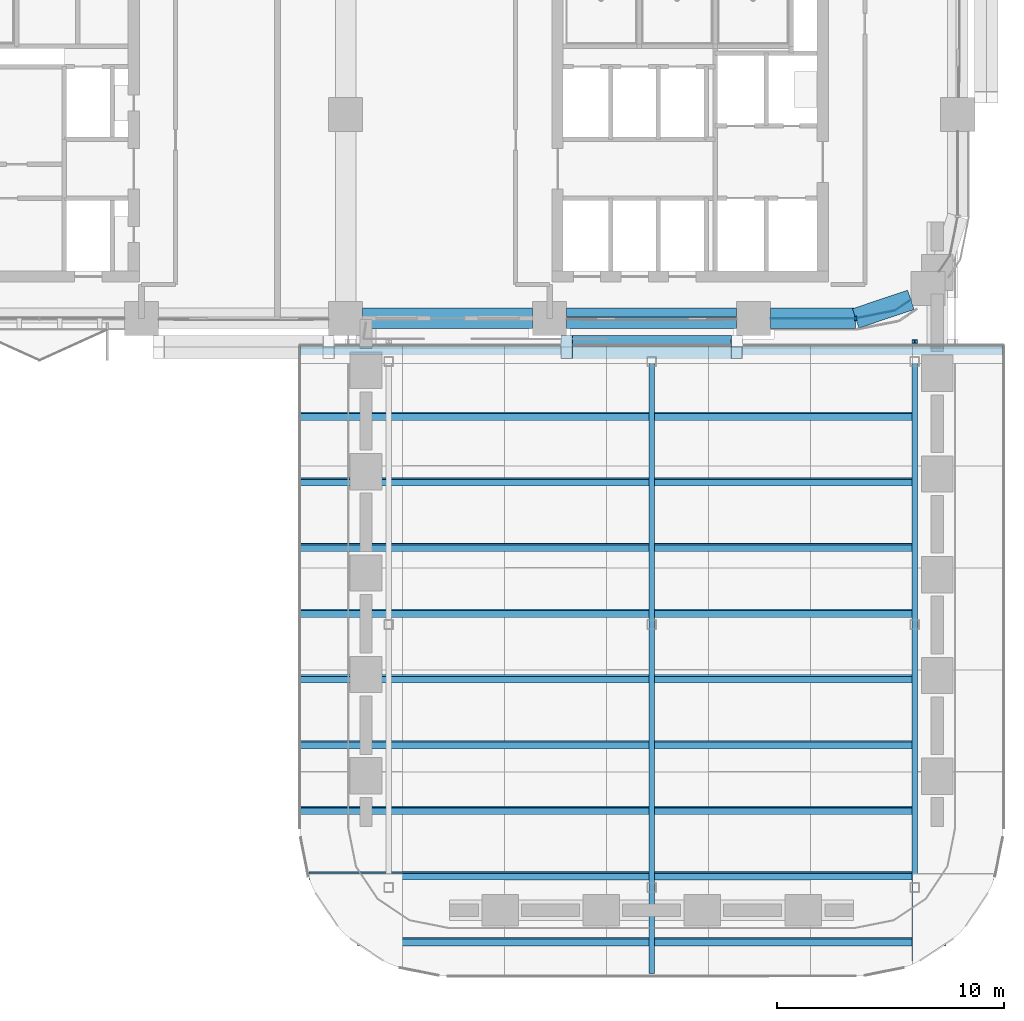
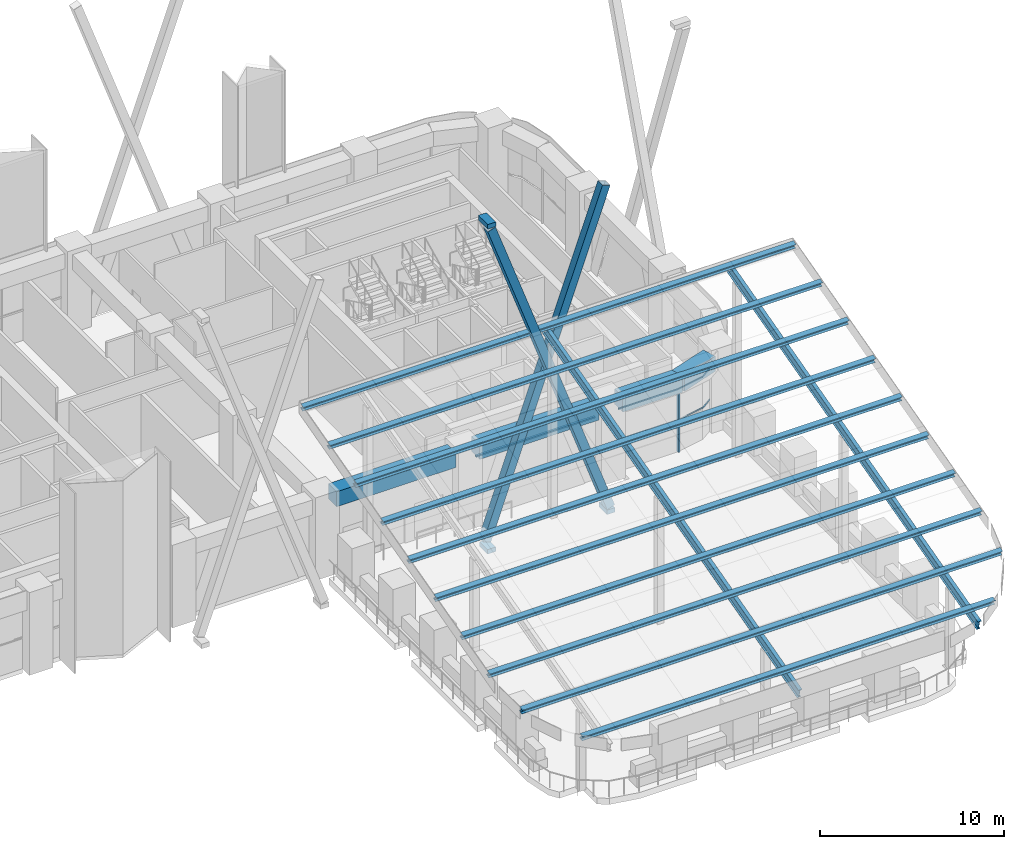
# One storey, part 5 of 22: 21 members, 4 beams, 2 elements without a shape of their own.
"""IFC4 building model written with IfcOpenShell, lengths in metres."""

from ifc_helpers import new_model, si_unit, direction, frame, origin, origin_2d, place, context, subcontext, project, spatial, polyline, rectangle, hollow_rectangle, i_section, outline, extrude, material, layer, layer_set, material_profile, profile_set, type_object, element, aggregate, save


model = new_model("IFC4")

# Units and contexts
model_context = context("Model", 3, precision=1e-05, world=origin(), true_north=direction((0.0, 1.0)))
body_context = subcontext(model_context, "Body", "Model", "MODEL_VIEW")
ifc_project = project(units=[si_unit("LENGTHUNIT", "METRE"), si_unit("AREAUNIT", "SQUARE_METRE"), si_unit("VOLUMEUNIT", "CUBIC_METRE"), si_unit("PLANEANGLEUNIT", "RADIAN"), si_unit("MASSUNIT", "GRAM", prefix="KILO")], contexts=[model_context])

# Site, building, storey
site_placement = place(None, origin())
site = spatial("IfcSite", under=ifc_project, at=site_placement, CompositionType="ELEMENT")
building_placement = place(site_placement, origin())
building = spatial("IfcBuilding", under=site, at=building_placement, Name="Tessera Arch", CompositionType="ELEMENT")
storey_placement = place(building_placement, frame((0.0, 0.0, 129.39990234375)))
storey = spatial("IfcBuildingStorey", under=building, at=storey_placement, Name="L30", CompositionType="ELEMENT", Elevation=129.39990234375)

# Members
ifc_material_1 = material(Name="Steel A500 Gr C", Category="steel")
ifc_material_profile_1 = material_profile(ifc_material_1, hollow_rectangle(XDim=0.508056640625, YDim=0.508056640625, WallThickness=0.0146484375, at=origin_2d()), Name="HSS20x20x5/8")
ifc_profile_set_1 = profile_set([ifc_material_profile_1], Name="Steel A500 Gr C")
member_type_1 = type_object("IfcMemberType", Name="Brace HSS20x20x5/8 Steel A500 Gr C", PredefinedType="BRACE", material=ifc_profile_set_1)
for number, where, z_axis, x_axis, name in (
    (1, (36.75, 25.99609375, -0.7998046875), (0.334923631924, 0.0, 0.942245276337), (0.0, 1.0, 0.0), "Brace S27.0-4 A L30-L34"),
    (2, (44.25, 25.488037109375, -0.7998046875), (-0.334923631924, 0.0, 0.942245276337), (0.0, -1.0, 0.0), "Brace S27.0-4 B L30-L34"),
):
    element("IfcMember", number, at=place(storey_placement, frame(where, z_axis=z_axis, x_axis=x_axis)), inside=storey, type_object=member_type_1, Name=name, PredefinedType="BRACE", context=body_context, shape_type="SweptSolid", body=[
        extrude(hollow_rectangle(XDim=0.508056640625, YDim=0.508056640625, WallThickness=0.0146484375, at=origin_2d()), origin(), (0.0, 0.0, 1.0), 22.39306640625),
    ])

# Curtain wall, members
ifc_material_2 = material(Name="CW2 curtain wall")
curtain_wall_type_1 = type_object("IfcCurtainWallType", Name="CW2 curtain wall", PredefinedType="NOTDEFINED", material=ifc_material_2)
curtain_wall_1_placement = place(storey_placement, origin())
curtain_wall_1 = element("IfcCurtainWall", 3, at=curtain_wall_1_placement, inside=storey, type_object=curtain_wall_type_1, Name="CW2 curtain wall S27.0/5 L30", PredefinedType="NOTDEFINED")
ifc_material_3 = material(Name="Anodised aluminium pale metal", Category="aluminium")
ifc_material_profile_2 = material_profile(ifc_material_3, rectangle(XDim=0.199951171875, YDim=0.080078125, at=origin_2d()), Name="AL 80x200")
ifc_profile_set_2 = profile_set([ifc_material_profile_2], Name="Anodised aluminium pale metal")
member_type_2 = type_object("IfcMemberType", Name="CW2 mullion", PredefinedType="MULLION", material=ifc_profile_set_2)
member_1_placement = place(storey_placement, frame((49.5, 27.0, 0.0), z_axis=(0.0, 0.0, 1.0), x_axis=(0.0, 1.0, 0.0)))
member_1 = element("IfcMember", 4, at=member_1_placement, type_object=member_type_2, Name="CW2 mullion S27.0/5 1", PredefinedType="MULLION", context=body_context, shape_type="SweptSolid", body=[
    extrude(rectangle(XDim=0.199951171875, YDim=0.080078125, at=origin_2d()), origin(), (0.0, 0.0, 1.0), 4.10009765625),
])
ifc_material_4 = material(Name="Anodised aluminium pale metal", Category="aluminium")
ifc_material_profile_3 = material_profile(ifc_material_4, rectangle(XDim=0.199951171875, YDim=0.10009765625, at=origin_2d()), Name="AL 200x100")
ifc_profile_set_3 = profile_set([ifc_material_profile_3], Name="Anodised aluminium pale metal")
member_type_3 = type_object("IfcMemberType", Name="CW2 transom", PredefinedType="USERDEFINED", material=ifc_profile_set_3)
member_2_placement = place(storey_placement, frame((0.0, 0.0, 2.050048828125)))
member_2 = element("IfcMember", 5, at=member_2_placement, type_object=member_type_3, Name="CW2 transom S27.0/5 1", ObjectType="TRANSOM", PredefinedType="USERDEFINED", context=body_context, shape_type="SweptSolid", body=[
    extrude(outline(polyline([(49.4990234375, 27.010009765625), (45.75, 27.010009765625), (45.75, 26.989990234375), (49.5009765625, 26.989990234375), (51.22607421875, 27.3330078125), (51.9375, 27.80859375), (51.926513671875, 27.8251953125), (51.21826171875, 27.351806640625), (49.4990234375, 27.010009765625)])), origin(), (0.0, 0.0, 1.0), 0.10009765625),
])
member_3_placement = place(storey_placement, frame((0.0, 0.0, 4.10009765625)))
member_3 = element("IfcMember", 6, at=member_3_placement, type_object=member_type_3, Name="CW2 transom S27.0/5 2", ObjectType="TRANSOM", PredefinedType="USERDEFINED", context=body_context, shape_type="SweptSolid", body=[
    extrude(outline(polyline([(49.4990234375, 27.010009765625), (45.75, 27.010009765625), (45.75, 26.989990234375), (49.5009765625, 26.989990234375), (51.22607421875, 27.3330078125), (51.9375, 27.80859375), (51.926513671875, 27.8251953125), (51.21826171875, 27.351806640625), (49.4990234375, 27.010009765625)])), origin(), (0.0, 0.0, 1.0), 0.10009765625),
])
aggregate(curtain_wall_1, [member_1, member_2, member_3])

# Curtain wall, member
ifc_material_5 = material(Name="CW3 curtain wall")
curtain_wall_type_2 = type_object("IfcCurtainWallType", Name="CW3 curtain wall", PredefinedType="NOTDEFINED", material=ifc_material_5)
curtain_wall_2_placement = place(storey_placement, origin())
curtain_wall_2 = element("IfcCurtainWall", 7, at=curtain_wall_2_placement, inside=storey, type_object=curtain_wall_type_2, Name="CW3 curtain wall S27.0/4 L30", PredefinedType="NOTDEFINED")
ifc_material_6 = material(Name="Anodised aluminium pale metal", Category="aluminium")
ifc_material_profile_4 = material_profile(ifc_material_6, rectangle(XDim=0.139892578125, YDim=0.10009765625, at=origin_2d()), Name="AL 140x100")
ifc_profile_set_4 = profile_set([ifc_material_profile_4], Name="Anodised aluminium pale metal")
member_type_4 = type_object("IfcMemberType", Name="CW3 transom", PredefinedType="USERDEFINED", material=ifc_profile_set_4)
member_4_placement = place(storey_placement, frame((36.75, 27.0, 4.150146484375), z_axis=(1.0, 0.0, 0.0), x_axis=(0.0, 1.0, 0.0)))
member_4 = element("IfcMember", 8, at=member_4_placement, type_object=member_type_4, Name="CW3 transom S27.0/4 1.1", ObjectType="TRANSOM", PredefinedType="USERDEFINED", context=body_context, shape_type="SweptSolid", body=[
    extrude(rectangle(XDim=0.139892578125, YDim=0.10009765625, at=origin_2d()), origin(), (0.0, 0.0, 1.0), 7.5),
])
aggregate(curtain_wall_2, [member_4])

# Members
ifc_material_7 = material(Name="Steel A992 Gr50", Category="steel")
ifc_material_profile_5 = material_profile(ifc_material_7, i_section(OverallWidth=0.3046875, OverallDepth=0.307861328125, WebThickness=0.010009765625, FlangeThickness=0.015380859375, at=origin_2d()), Name="W12x65")
ifc_profile_set_5 = profile_set([ifc_material_profile_5], Name="Steel A992 Gr50")
member_type_5 = type_object("IfcMemberType", Name="Canopy purlin W12x65", PredefinedType="PURLIN", material=ifc_profile_set_5)
member_5_placement = place(storey_placement, frame((27.515380859375, -0.490478515625, 5.3623046875), z_axis=(1.0, 0.0, 0.0), x_axis=(0.0, 0.965925826289, 0.258819045103)))
element("IfcMember", 9, at=member_5_placement, inside=storey, type_object=member_type_5, Name="Canopy purlin T3-1", PredefinedType="PURLIN", context=body_context, shape_type="SweptSolid", body=[
    extrude(i_section(OverallWidth=0.3046875, OverallDepth=0.307861328125, WebThickness=0.010009765625, FlangeThickness=0.015380859375, at=origin_2d()), origin(), (0.0, 0.0, 1.0), 25.96923828125),
])
member_6_placement = place(storey_placement, frame((25.39013671875, 2.4072265625, 6.138916015625), z_axis=(1.0, 0.0, 0.0), x_axis=(0.0, 0.965925826289, 0.258819045103)))
element("IfcMember", 10, at=member_6_placement, inside=storey, type_object=member_type_5, Name="Canopy purlin T3-2", PredefinedType="PURLIN", context=body_context, shape_type="SweptSolid", body=[
    extrude(i_section(OverallWidth=0.3046875, OverallDepth=0.307861328125, WebThickness=0.010009765625, FlangeThickness=0.015380859375, at=origin_2d()), origin(), (0.0, 0.0, 1.0), 30.2197265625),
])
for number, where, z_axis, x_axis, name in (
    (11, (25.0, 5.304931640625, 6.915283203125), (1.0, 0.0, 0.0), (0.0, 0.965925826289, 0.258819045103), "Canopy purlin T3-3"),
    (12, (25.0, 8.202880859375, 7.691650390625), (1.0, 0.0, 0.0), (0.0, 0.965925826289, 0.258819045103), "Canopy purlin T3-4"),
    (13, (25.0, 11.1005859375, 8.46826171875), (1.0, 0.0, 0.0), (0.0, 0.965925826289, 0.258819045103), "Canopy purlin T3-5"),
    (14, (25.0, 13.998291015625, 9.24462890625), (1.0, 0.0, 0.0), (0.0, 0.965925826289, 0.258819045103), "Canopy purlin T3-6"),
    (15, (25.0, 16.89599609375, 10.02099609375), (1.0, 0.0, 0.0), (0.0, 0.965925826289, 0.258819045103), "Canopy purlin T3-7"),
    (16, (25.0, 19.7939453125, 10.797607421875), (1.0, 0.0, 0.0), (0.0, 0.965925826289, 0.258819045103), "Canopy purlin T3-8"),
    (17, (25.0, 22.691650390625, 11.573974609375), (1.0, 0.0, 0.0), (0.0, 0.965925826289, 0.258819045103), "Canopy purlin T3-9"),
    (18, (25.0, 25.58935546875, 12.3505859375), (1.0, 0.0, 0.0), (0.0, 0.965925826289, 0.258819045103), "Canopy purlin T3-10"),
):
    element("IfcMember", number, at=place(storey_placement, frame(where, z_axis=z_axis, x_axis=x_axis)), inside=storey, type_object=member_type_5, Name=name, PredefinedType="PURLIN", context=body_context, shape_type="SweptSolid", body=[
        extrude(i_section(OverallWidth=0.3046875, OverallDepth=0.307861328125, WebThickness=0.010009765625, FlangeThickness=0.015380859375, at=origin_2d()), origin(), (0.0, 0.0, 1.0), 31.0),
    ])
ifc_material_8 = material(Name="Steel A992 Gr50", Category="steel")
ifc_material_profile_6 = material_profile(ifc_material_8, i_section(OverallWidth=0.230224609375, OverallDepth=0.617431640625, WebThickness=0.01318359375, FlangeThickness=0.022216796875, at=origin_2d()), Name="W24x94")
ifc_profile_set_6 = profile_set([ifc_material_profile_6], Name="Steel A992 Gr50")
member_type_6 = type_object("IfcMemberType", Name="Canopy rib W24x94", PredefinedType="RAFTER", material=ifc_profile_set_6)
member_7_placement = place(storey_placement, frame((40.5, -1.81982421875, 4.52734375), z_axis=(0.0, 0.96592605234, 0.258818201468), x_axis=(-1.0, 0.0, 0.0)))
element("IfcMember", 19, at=member_7_placement, inside=storey, type_object=member_type_6, Name="Canopy rib T3-2", PredefinedType="RAFTER", context=body_context, shape_type="SweptSolid", body=[
    extrude(i_section(OverallWidth=0.230224609375, OverallDepth=0.617431640625, WebThickness=0.01318359375, FlangeThickness=0.022216796875, at=origin_2d()), origin(), (0.0, 0.0, 1.0), 28.78076171875),
])
member_8_placement = place(storey_placement, frame((52.10009765625, -1.272705078125, 4.673828125), z_axis=(0.0, 0.965925031181, 0.258822012467), x_axis=(-1.0, 0.0, 0.0)))
element("IfcMember", 20, at=member_8_placement, inside=storey, type_object=member_type_6, Name="Canopy rib T3-3", PredefinedType="RAFTER", context=body_context, shape_type="SweptSolid", body=[
    extrude(i_section(OverallWidth=0.230224609375, OverallDepth=0.617431640625, WebThickness=0.01318359375, FlangeThickness=0.022216796875, at=origin_2d()), origin(), (0.0, 0.0, 1.0), 28.21435546875),
])
ifc_material_9 = material(Name="Steel A572 Gr50", Category="steel")
ifc_layer = layer(ifc_material_9, 0.050048828125)
ifc_layer_set = layer_set([ifc_layer], Name="Node block Steel A572 Gr50")
member_type_7 = type_object("IfcMemberType", Name="Node block Steel A572 Gr50", PredefinedType="PLATE", material=ifc_layer_set)
for number, where, z_axis, x_axis, name in (
    (21, (44.25, 25.6669921875, -1.20849609375), (0.0, 0.0, 1.0), (1.0, 0.0, 0.0), "Node block seat S27.0-4 1 L30"),
    (22, (36.75, 25.6669921875, -1.20849609375), (0.0, 0.0, 1.0), (1.0, 0.0, 0.0), "Node block seat S27.0-4 2 L30"),
):
    element("IfcMember", number, at=place(storey_placement, frame(where, z_axis=z_axis, x_axis=x_axis)), inside=storey, type_object=member_type_7, Name=name, PredefinedType="PLATE", context=body_context, shape_type="SweptSolid", body=[
        extrude(rectangle(XDim=0.508056640625, YDim=0.865966796875, at=origin_2d()), origin(), (0.0, 0.0, 1.0), 0.300048828125),
    ])
member_9_placement = place(storey_placement, frame((36.75, 25.741943359375, 20.40869140625), z_axis=(0.0, 0.0, 1.0), x_axis=(1.0, 0.0, 0.0)))
element("IfcMember", 23, at=member_9_placement, inside=storey, type_object=member_type_7, Name="Node block head S27.0-4 B L30", PredefinedType="PLATE", context=body_context, shape_type="SweptSolid", body=[
    extrude(rectangle(XDim=0.508056640625, YDim=1.01611328125, at=origin_2d()), origin(), (0.0, 0.0, 1.0), 0.300048828125),
])

# Beams
ifc_material_10 = material(Name="Concrete C70/85", Category="concrete")
ifc_material_profile_7 = material_profile(ifc_material_10, rectangle(XDim=0.89990234375, YDim=1.0, at=origin_2d()), Name="RC spandrel beam 900 x 1000 Concrete C70/85")
ifc_profile_set_7 = profile_set([ifc_material_profile_7], Name="Concrete C70/85")
beam_type = type_object("IfcBeamType", Name="RC spandrel beam 900 x 1000 Concrete C70/85", PredefinedType="BEAM", material=ifc_profile_set_7)
for number, where, z_axis, x_axis, name in (
    (24, (27.75, 27.0, 4.7001953125), (1.0, 0.0, 0.0), (0.0, 1.0, 0.0), "Spandrel beam L30 S27.0/3"),
    (25, (36.75, 27.0, 4.7001953125), (1.0, 0.0, 0.0), (0.0, 1.0, 0.0), "Spandrel beam L30 S27.0/4"),
):
    element("IfcBeam", number, at=place(storey_placement, frame(where, z_axis=z_axis, x_axis=x_axis)), inside=storey, type_object=beam_type, Name=name, PredefinedType="BEAM", context=body_context, shape_type="SweptSolid", body=[
        extrude(rectangle(XDim=0.89990234375, YDim=1.0, at=origin_2d()), origin(), (0.0, 0.0, 1.0), 7.5),
    ])
beam_1_placement = place(storey_placement, frame((45.75, 27.0, 4.7001953125), z_axis=(1.0, 0.0, 0.0), x_axis=(0.0, 1.0, 0.0)))
element("IfcBeam", 26, at=beam_1_placement, inside=storey, type_object=beam_type, Name="Spandrel beam L30 S27.0/5.1", PredefinedType="BEAM", context=body_context, shape_type="SweptSolid", body=[
    extrude(rectangle(XDim=0.89990234375, YDim=1.0, at=origin_2d()), origin(), (0.0, 0.0, 1.0), 3.75),
])
beam_2_placement = place(storey_placement, frame((49.5, 27.0, 4.7001953125), z_axis=(0.947947973234, 0.31842525032, 0.0), x_axis=(-0.31842525032, 0.947947973234, 0.0)))
element("IfcBeam", 27, at=beam_2_placement, inside=storey, type_object=beam_type, Name="Spandrel beam L30 S27.0/5.2", PredefinedType="BEAM", context=body_context, shape_type="SweptSolid", body=[
    extrude(rectangle(XDim=0.89990234375, YDim=1.0, at=origin_2d()), origin(), (0.0, 0.0, 1.0), 2.5654296875),
])

save(model, "model.ifc")
